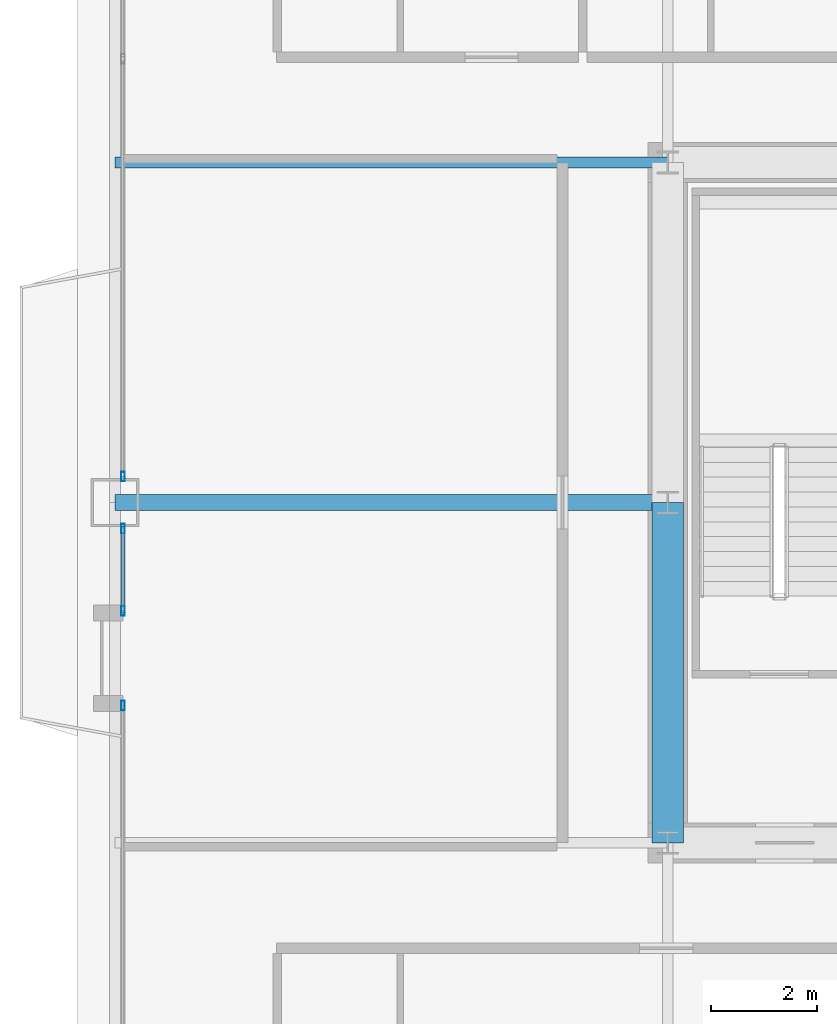
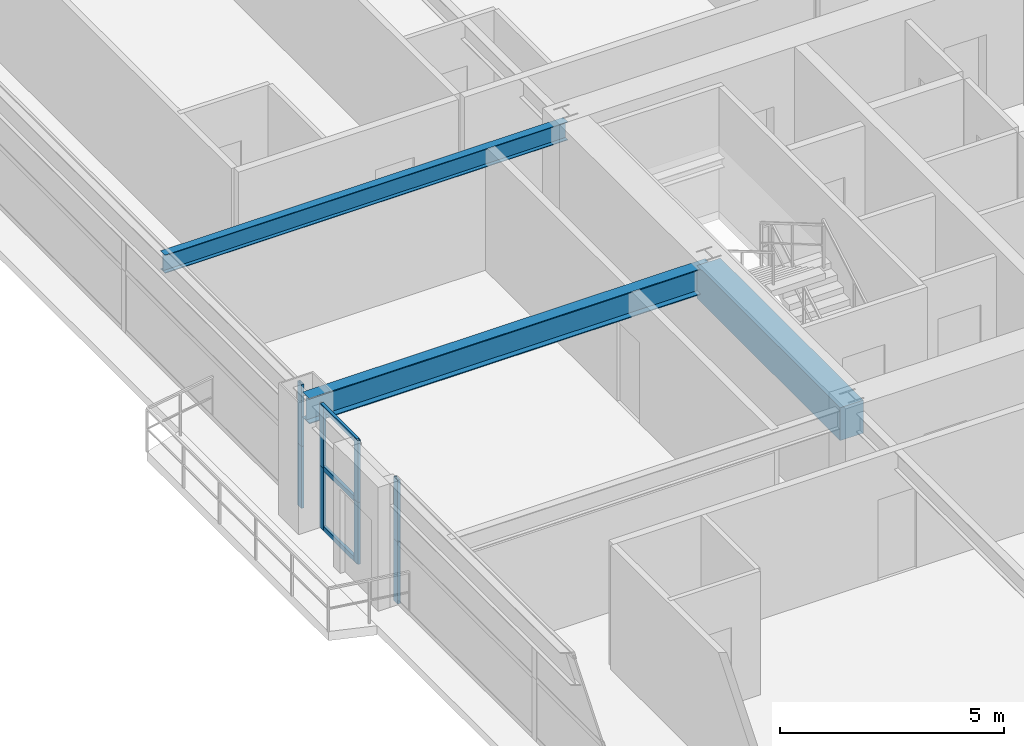
# One storey, part 12 of 41: 11 members, 3 beams, 3 elements without a shape of their own.
"""IFC4 building model written with IfcOpenShell, lengths in metres."""

from ifc_helpers import new_model, si_unit, direction, frame, origin, origin_2d, place, context, subcontext, project, spatial, rectangle, hollow_rectangle, i_section, extrude, source, transform, mapped, material, layer, layer_set, material_profile, profile_set, type_object, element, aggregate, save


model = new_model("IFC4")

# Units and contexts
model_context = context("Model", 3, precision=1e-05, world=origin(), true_north=direction((0.0, 1.0)))
body_context = subcontext(model_context, "Body", "Model", "MODEL_VIEW")
ifc_project = project(units=[si_unit("LENGTHUNIT", "METRE"), si_unit("AREAUNIT", "SQUARE_METRE"), si_unit("VOLUMEUNIT", "CUBIC_METRE"), si_unit("PLANEANGLEUNIT", "RADIAN"), si_unit("MASSUNIT", "GRAM", prefix="KILO"), si_unit("THERMODYNAMICTEMPERATUREUNIT", "KELVIN"), si_unit("POWERUNIT", "WATT")], contexts=[model_context])

# Site, building, storey
site_placement = place(None, origin())
site = spatial("IfcSite", under=ifc_project, at=site_placement, CompositionType="ELEMENT")
building_placement = place(site_placement, origin())
building = spatial("IfcBuilding", under=site, at=building_placement, Name="Yuzanri Waterfront Tower", CompositionType="ELEMENT")
storey_placement = place(building_placement, frame((0.0, 0.0, 115.39990234375)))
storey = spatial("IfcBuildingStorey", under=building, at=storey_placement, Name="L30", CompositionType="ELEMENT", Elevation=115.39990234375)

# Beams
ifc_material_1 = material(Name="Concrete C60", Category="concrete")
ifc_material_profile_1 = material_profile(ifc_material_1, rectangle(XDim=0.60009765625, YDim=0.89990234375, at=origin_2d()), Name="RC 600x900")
ifc_profile_set_1 = profile_set([ifc_material_profile_1], Name="Concrete C60")
beam_type_1 = type_object("IfcBeamType", Name="Core Coupling Lintel Concrete C60 600x900", PredefinedType="LINTEL", material=ifc_profile_set_1)
shared_shape_1 = source(origin(), body_context, "Body", "SweptSolid", [
    extrude(rectangle(XDim=0.60009765625, YDim=0.89990234375, at=origin_2d()), origin(), (0.0, 0.0, 1.0), 6.400146484375),
])
beam_1_placement = place(storey_placement, frame((23.800048828125, 19.39990234375, 2.93017578125), z_axis=(0.0, 1.0, 0.0), x_axis=(-1.0, 0.0, 0.0)))
element("IfcBeam", 1, at=beam_1_placement, inside=storey, type_object=beam_type_1, Name="L30 Core Tie Beam CW1", PredefinedType="LINTEL", context=body_context, shape_type="MappedRepresentation", body=[
    mapped(shared_shape_1, transform((0.0, 0.0, 0.0), scale=1.0)),
])
ifc_material_2 = material(Name="Steel Q355B", Category="steel")
ifc_material_profile_2 = material_profile(ifc_material_2, i_section(OverallWidth=0.300048828125, OverallDepth=0.699951171875, WebThickness=0.012939453125, FlangeThickness=0.02392578125, at=origin_2d()), Name="HN 700x300x13x24")
ifc_profile_set_2 = profile_set([ifc_material_profile_2], Name="Steel Q355B")
beam_type_2 = type_object("IfcBeamType", Name="Primary Floor Girder Q355B HN 700x300", PredefinedType="BEAM", material=ifc_profile_set_2)
shared_shape_2 = source(origin(), body_context, "Body", "SweptSolid", [
    extrude(i_section(OverallWidth=0.300048828125, OverallDepth=0.699951171875, WebThickness=0.012939453125, FlangeThickness=0.02392578125, at=origin_2d()), origin(), (0.0, 0.0, 1.0), 10.400146484375),
])
beam_2_placement = place(storey_placement, frame((23.800048828125, 25.800048828125, 3.030029296875), z_axis=(-1.0, 0.0, 0.0), x_axis=(0.0, -1.0, 0.0)))
element("IfcBeam", 2, at=beam_2_placement, inside=storey, type_object=beam_type_2, Name="L30 West Grid Girder", PredefinedType="BEAM", context=body_context, shape_type="MappedRepresentation", body=[
    mapped(shared_shape_2, transform((0.0, 0.0, 0.0), scale=1.0)),
])
ifc_material_3 = material(Name="Steel Q355B", Category="steel")
ifc_material_profile_3 = material_profile(ifc_material_3, i_section(OverallWidth=0.199951171875, OverallDepth=0.5, WebThickness=0.010009765625, FlangeThickness=0.01611328125, at=origin_2d()), Name="HN 500x200x10x16")
ifc_profile_set_3 = profile_set([ifc_material_profile_3], Name="Steel Q355B")
beam_type_3 = type_object("IfcBeamType", Name="Secondary Floor Beam Q355B HN 500x200", PredefinedType="BEAM", material=ifc_profile_set_3)
shared_shape_3 = source(origin(), body_context, "Body", "SweptSolid", [
    extrude(i_section(OverallWidth=0.199951171875, OverallDepth=0.5, WebThickness=0.010009765625, FlangeThickness=0.01611328125, at=origin_2d()), origin(), (0.0, 0.0, 1.0), 10.400146484375),
])
beam_3_placement = place(storey_placement, frame((23.800048828125, 32.199951171875, 3.130126953125), z_axis=(-1.0, 0.0, 0.0), x_axis=(0.0, -1.0, 0.0)))
element("IfcBeam", 3, at=beam_3_placement, inside=storey, type_object=beam_type_3, Name="L30 West-North Core Line Beam", PredefinedType="BEAM", context=body_context, shape_type="MappedRepresentation", body=[
    mapped(shared_shape_3, transform((0.0, 0.0, 0.0), scale=1.0)),
])

# Curtain wall, members
ifc_material_4 = material(Name="Anodized Architectural Bronze", Category="metal")
ifc_layer = layer(ifc_material_4, 0.159912109375)
ifc_layer_set = layer_set([ifc_layer], Name="Anodized Architectural Bronze")
curtain_wall_type = type_object("IfcCurtainWallType", Name="Anodized Bronze Hotel Upper-Tier Solar-Control Unitized Curtain Wall 7800", PredefinedType="NOTDEFINED", material=ifc_layer_set)
curtain_wall_1_placement = place(storey_placement, origin())
curtain_wall_1 = element("IfcCurtainWall", 4, at=curtain_wall_1_placement, inside=storey, type_object=curtain_wall_type, Name="L30 Curtain Wall CW-L30-WL1", PredefinedType="NOTDEFINED")
ifc_material_5 = material(Name="Anodized Architectural Bronze", Category="metal")
ifc_material_profile_4 = material_profile(ifc_material_5, hollow_rectangle(XDim=0.070068359375, YDim=0.179931640625, WallThickness=0.00390625, at=origin_2d()), Name="CWM 70x180")
ifc_profile_set_4 = profile_set([ifc_material_profile_4], Name="Anodized Architectural Bronze")
member_type_1 = type_object("IfcMemberType", Name="Anodized Bronze Standard Curtain-Wall Mullion 70x180", PredefinedType="MULLION", material=ifc_profile_set_4)
shared_shape_4 = source(origin(), body_context, "Body", "SweptSolid", [
    extrude(hollow_rectangle(XDim=0.070068359375, YDim=0.179931640625, WallThickness=0.00390625, at=origin_2d()), origin(), (0.0, 0.0, 1.0), 1.68798828125),
])
member_1_placement = place(storey_placement, frame((13.550048828125, 21.985107421875, 0.0), z_axis=(0.0, 0.0, 1.0), x_axis=(1.0, 0.0, 0.0)))
member_1 = element("IfcMember", 5, at=member_1_placement, type_object=member_type_1, Name="CW-L30-WL1 Lower Mullion 02", PredefinedType="MULLION", context=body_context, shape_type="MappedRepresentation", body=[
    mapped(shared_shape_4, transform((0.0, 0.0, 0.0), scale=1.0)),
])
member_2_placement = place(storey_placement, frame((13.550048828125, 21.985107421875, 1.692138671875), z_axis=(0.0, 0.0, 1.0), x_axis=(1.0, 0.0, 0.0)))
member_2 = element("IfcMember", 6, at=member_2_placement, type_object=member_type_1, Name="CW-L30-WL1 Upper Mullion 02", PredefinedType="MULLION", context=body_context, shape_type="MappedRepresentation", body=[
    mapped(shared_shape_4, transform((0.0, 0.0, 0.0), scale=1.0)),
])
aggregate(curtain_wall_1, [member_1, member_2])

curtain_wall_2_placement = place(storey_placement, origin())
curtain_wall_2 = element("IfcCurtainWall", 7, at=curtain_wall_2_placement, inside=storey, type_object=curtain_wall_type, Name="L30 Curtain Wall CW-L30-WL2", PredefinedType="NOTDEFINED")
member_3_placement = place(storey_placement, frame((13.550048828125, 23.764892578125, 0.0), z_axis=(0.0, 0.0, 1.0), x_axis=(1.0, 0.0, 0.0)))
member_3 = element("IfcMember", 8, at=member_3_placement, type_object=member_type_1, Name="CW-L30-WL2 Lower Mullion 00", PredefinedType="MULLION", context=body_context, shape_type="MappedRepresentation", body=[
    mapped(shared_shape_4, transform((0.0, 0.0, 0.0), scale=1.0)),
])
member_4_placement = place(storey_placement, frame((13.550048828125, 23.764892578125, 1.692138671875), z_axis=(0.0, 0.0, 1.0), x_axis=(1.0, 0.0, 0.0)))
member_4 = element("IfcMember", 9, at=member_4_placement, type_object=member_type_1, Name="CW-L30-WL2 Upper Mullion 00", PredefinedType="MULLION", context=body_context, shape_type="MappedRepresentation", body=[
    mapped(shared_shape_4, transform((0.0, 0.0, 0.0), scale=1.0)),
])
member_5_placement = place(storey_placement, frame((13.550048828125, 25.31005859375, 0.0), z_axis=(0.0, 0.0, 1.0), x_axis=(1.0, 0.0, 0.0)))
member_5 = element("IfcMember", 10, at=member_5_placement, type_object=member_type_1, Name="CW-L30-WL2 Lower Mullion 01", PredefinedType="MULLION", context=body_context, shape_type="MappedRepresentation", body=[
    mapped(shared_shape_4, transform((0.0, 0.0, 0.0), scale=1.0)),
])
member_6_placement = place(storey_placement, frame((13.550048828125, 25.31005859375, 1.692138671875), z_axis=(0.0, 0.0, 1.0), x_axis=(1.0, 0.0, 0.0)))
member_6 = element("IfcMember", 11, at=member_6_placement, type_object=member_type_1, Name="CW-L30-WL2 Upper Mullion 01", PredefinedType="MULLION", context=body_context, shape_type="MappedRepresentation", body=[
    mapped(shared_shape_4, transform((0.0, 0.0, 0.0), scale=1.0)),
])

curtain_wall_3_placement = place(storey_placement, origin())
curtain_wall_3 = element("IfcCurtainWall", 12, at=curtain_wall_3_placement, inside=storey, type_object=curtain_wall_type, Name="L30 Curtain Wall CW-L30-WR", PredefinedType="NOTDEFINED")
member_7_placement = place(storey_placement, frame((13.550048828125, 26.2900390625, 0.0), z_axis=(0.0, 0.0, 1.0), x_axis=(1.0, 0.0, 0.0)))
member_7 = element("IfcMember", 13, at=member_7_placement, type_object=member_type_1, Name="CW-L30-WR Lower Mullion 00", PredefinedType="MULLION", context=body_context, shape_type="MappedRepresentation", body=[
    mapped(shared_shape_4, transform((0.0, 0.0, 0.0), scale=1.0)),
])
member_8_placement = place(storey_placement, frame((13.550048828125, 26.2900390625, 1.692138671875), z_axis=(0.0, 0.0, 1.0), x_axis=(1.0, 0.0, 0.0)))
member_8 = element("IfcMember", 14, at=member_8_placement, type_object=member_type_1, Name="CW-L30-WR Upper Mullion 00", PredefinedType="MULLION", context=body_context, shape_type="MappedRepresentation", body=[
    mapped(shared_shape_4, transform((0.0, 0.0, 0.0), scale=1.0)),
])
aggregate(curtain_wall_3, [member_7, member_8])

# Member
ifc_material_6 = material(Name="Anodized Architectural Bronze", Category="metal")
ifc_material_profile_5 = material_profile(ifc_material_6, hollow_rectangle(XDim=0.070068359375, YDim=0.135009765625, WallThickness=0.00341796875, at=origin_2d()), Name="CWT 70x135")
ifc_profile_set_5 = profile_set([ifc_material_profile_5], Name="Anodized Architectural Bronze")
member_type_2 = type_object("IfcMemberType", Name="Anodized Bronze Standard Curtain-Wall Transom 70x135", PredefinedType="USERDEFINED", material=ifc_profile_set_5)
shared_shape_5 = source(origin(), body_context, "Body", "SweptSolid", [
    extrude(hollow_rectangle(XDim=0.070068359375, YDim=0.135009765625, WallThickness=0.00341796875, at=origin_2d()), origin(), (0.0, 0.0, 1.0), 1.625),
])
member_9_placement = place(storey_placement, frame((13.550048828125, 23.72509765625, 0.050048828125), z_axis=(0.0, 1.0, 0.0), x_axis=(-1.0, 0.0, 0.0)))
member_9 = element("IfcMember", 15, at=member_9_placement, type_object=member_type_2, Name="CW-L30-WL2 Transom 1", ObjectType="TRANSOM", PredefinedType="USERDEFINED", context=body_context, shape_type="MappedRepresentation", body=[
    mapped(shared_shape_5, transform((0.0, 0.0, 0.0), scale=1.0)),
])

member_10_placement = place(storey_placement, frame((13.550048828125, 23.72509765625, 1.690185546875), z_axis=(0.0, 1.0, 0.0), x_axis=(-1.0, 0.0, 0.0)))
member_10 = element("IfcMember", 16, at=member_10_placement, type_object=member_type_2, Name="CW-L30-WL2 Transom 2", ObjectType="TRANSOM", PredefinedType="USERDEFINED", context=body_context, shape_type="MappedRepresentation", body=[
    mapped(shared_shape_5, transform((0.0, 0.0, 0.0), scale=1.0)),
])

member_11_placement = place(storey_placement, frame((13.550048828125, 23.72509765625, 3.330078125), z_axis=(0.0, 1.0, 0.0), x_axis=(-1.0, 0.0, 0.0)))
member_11 = element("IfcMember", 17, at=member_11_placement, type_object=member_type_2, Name="CW-L30-WL2 Transom 3", ObjectType="TRANSOM", PredefinedType="USERDEFINED", context=body_context, shape_type="MappedRepresentation", body=[
    mapped(shared_shape_5, transform((0.0, 0.0, 0.0), scale=1.0)),
])

aggregate(curtain_wall_2, [member_3, member_4, member_5, member_6, member_9, member_10, member_11])

save(model, "model.ifc")
